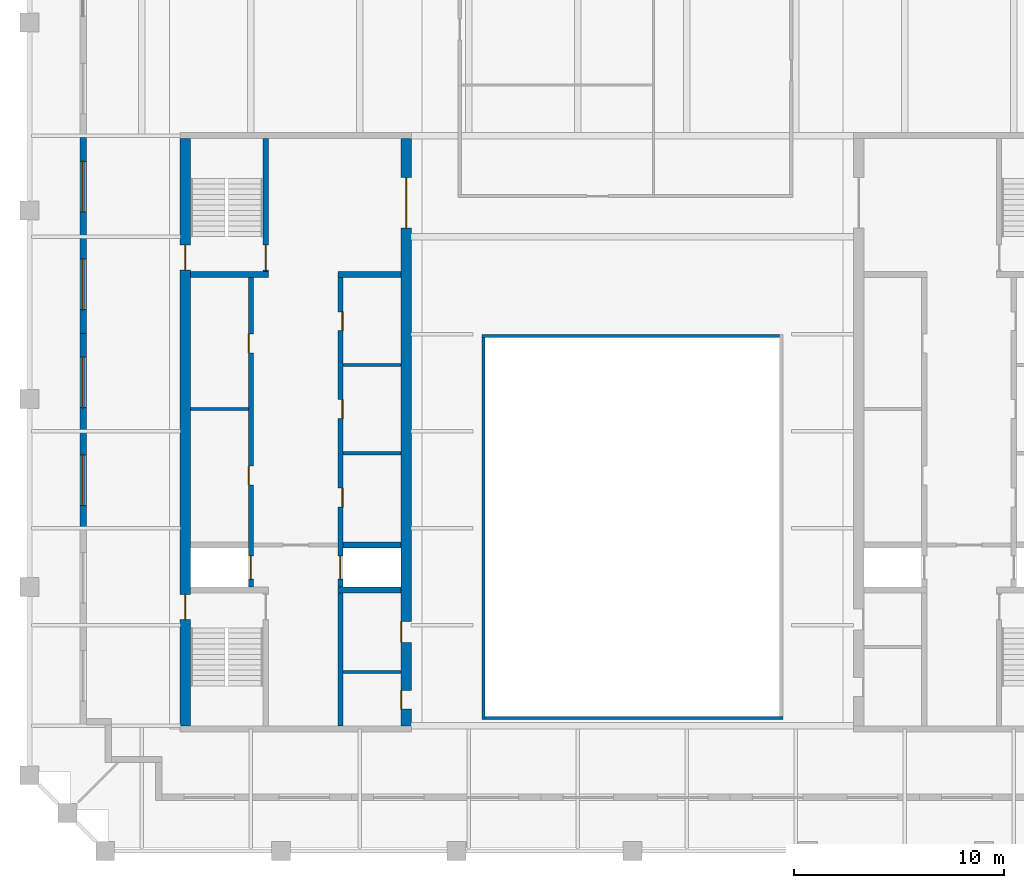
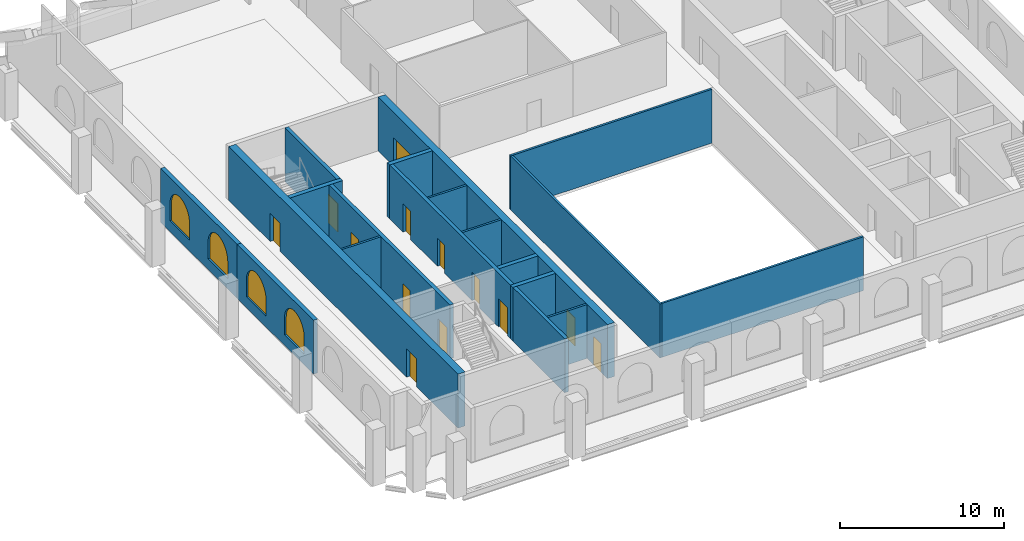
# One storey, part 3 of 8: 18 walls, 13 doors, 4 windows, 17 openings.
"""IFC4 building model written with IfcOpenShell, lengths in metres."""

import ifcopenshell
import ifcopenshell.guid

model = None  # the IFC model being written
_history = None  # IfcOwnerHistory: only IFC2X3 demands one
_inside = {}  # id of a spatial element -> (the spatial element, [elements in it])
_under = {}  # id of a project, library or spatial element -> (it, [spatial elements below it])
_declared = {}  # id of a project -> (the project, [libraries it declares])
_typed = {}  # id of a type object -> (the type object, [elements of that type])
_made_of = {}  # id of a material, layer set ... -> (it, [elements and type objects made of it])


def new_model(schema):
    """Start an empty IFC model of exactly this schema.

    Asked for "IFC4X3", IfcOpenShell would pick the latest addendum, in which some entities
    have other attributes; the version numbers below select the first issue.
    IFC2X3 requires an IfcOwnerHistory on every rooted entity: one is made here for all.
    """
    global model, _history
    if schema == "IFC4X3":
        model = ifcopenshell.file(schema_version=(4, 3, 0, 0))
    else:
        model = ifcopenshell.file(schema=schema)
    _inside.clear()
    _under.clear()
    _declared.clear()
    _typed.clear()
    _made_of.clear()
    _history = None
    if model.schema == "IFC2X3":
        org = make("IfcOrganization", Name="unknown")
        user = make(
            "IfcPersonAndOrganization",
            ThePerson=make("IfcPerson", FamilyName="unknown"),
            TheOrganization=org,
        )
        app = make(
            "IfcApplication",
            ApplicationDeveloper=org,
            Version="unknown",
            ApplicationFullName="unknown",
            ApplicationIdentifier="unknown",
        )
        _history = make(
            "IfcOwnerHistory",
            OwningUser=user,
            OwningApplication=app,
            ChangeAction="ADDED",
            CreationDate=0,
        )
    return model


def make(cls, **values):
    """One entity of the class cls with the attributes given. An attribute that is None is left unset."""
    return model.create_entity(
        cls, **{name: value for name, value in values.items() if value is not None}
    )


def rooted(cls, **values):
    """An entity with a GlobalId (a new one), such as an element, a storey or a relation."""
    return make(cls, GlobalId=ifcopenshell.guid.new(), OwnerHistory=_history, **values)


def si_unit(unit_type, name, prefix=None):
    """IfcSIUnit, for example si_unit("LENGTHUNIT", "METRE", prefix="MILLI")."""
    return make("IfcSIUnit", UnitType=unit_type, Prefix=prefix, Name=name)


def assignment(units):
    """IfcUnitAssignment: the units of a project."""
    return None if units is None else make("IfcUnitAssignment", Units=units)


def point(xyz):
    """IfcCartesianPoint."""
    return None if xyz is None else make("IfcCartesianPoint", Coordinates=xyz)


def direction(xyz):
    """IfcDirection."""
    return None if xyz is None else make("IfcDirection", DirectionRatios=xyz)


def frame(location, z_axis=None, x_axis=None):
    """IfcAxis2Placement3D, a coordinate frame: its origin and axes. An axis left out is left unset."""
    return make(
        "IfcAxis2Placement3D",
        Location=point(location),
        Axis=direction(z_axis),
        RefDirection=direction(x_axis),
    )


def frame_2d(location, x_axis=None):
    """IfcAxis2Placement2D, a coordinate frame in the plane: its origin and x axis."""
    return make(
        "IfcAxis2Placement2D", Location=point(location), RefDirection=direction(x_axis)
    )


def origin():
    """The frame at (0, 0, 0) with its axes left unset."""
    return frame((0.0, 0.0, 0.0))


def place(relative_to, where):
    """IfcLocalPlacement: puts the frame where relative to a parent placement (None: the world)."""
    return make(
        "IfcLocalPlacement", PlacementRelTo=relative_to, RelativePlacement=where
    )


def context(
    kind, dimensions, precision=None, world=None, true_north=None, identifier=None
):
    """IfcGeometricRepresentationContext, for example the 3D "Model" context."""
    return make(
        "IfcGeometricRepresentationContext",
        ContextIdentifier=identifier,
        ContextType=kind,
        CoordinateSpaceDimension=dimensions,
        Precision=precision,
        WorldCoordinateSystem=world,
        TrueNorth=true_north,
    )


def subcontext(parent, identifier, kind, view, scale=None):
    """IfcGeometricRepresentationSubContext, for example "Body" below "Model"."""
    return make(
        "IfcGeometricRepresentationSubContext",
        ContextIdentifier=identifier,
        ContextType=kind,
        ParentContext=parent,
        TargetScale=scale,
        TargetView=view,
    )


def project(units=None, contexts=None):
    """IfcProject with its units and contexts."""
    return rooted(
        "IfcProject",
        Name="project",
        RepresentationContexts=contexts,
        UnitsInContext=assignment(units),
    )


def spatial(cls, under=None, at=None, **own):
    """A site, building, storey or space (cls), placed at a placement, below another one or the project."""
    s = rooted(cls, ObjectPlacement=at, **own)
    if under is not None:
        _under.setdefault(under.id(), (under, []))[1].append(s)
    return s


def polyline(points):
    """IfcPolyline through the points."""
    return make("IfcPolyline", Points=[point(p) for p in points])


def profile(cls, at=None, kind="AREA", **sizes):
    """A parametric profile (cls). Its sizes go by their IFC names, for example OverallWidth=200.0."""
    return make(cls, ProfileType=kind, Position=at, **sizes)


def rectangle(**sizes):
    """IfcRectangleProfileDef."""
    return profile("IfcRectangleProfileDef", **sizes)


def outline(outer, holes=None, kind="AREA"):
    """IfcArbitraryClosedProfileDef: a profile drawn as a closed curve; with holes, ...WithVoids."""
    if holes is None:
        return make("IfcArbitraryClosedProfileDef", ProfileType=kind, OuterCurve=outer)
    return make(
        "IfcArbitraryProfileDefWithVoids",
        ProfileType=kind,
        OuterCurve=outer,
        InnerCurves=holes,
    )


def extrude(swept, where, along, depth):
    """IfcExtrudedAreaSolid: the profile swept, set in the frame where, extruded along a direction by depth."""
    return make(
        "IfcExtrudedAreaSolid",
        SweptArea=swept,
        Position=where,
        ExtrudedDirection=direction(along),
        Depth=depth,
    )


def shape(context_of_items, identifier, shape_type, items):
    """IfcShapeRepresentation: the items that make up one representation, for example the "Body"."""
    return make(
        "IfcShapeRepresentation",
        ContextOfItems=context_of_items,
        RepresentationIdentifier=identifier,
        RepresentationType=shape_type,
        Items=items,
    )


def material(Name=None, Category=None):
    """IfcMaterial."""
    return make("IfcMaterial", Name=Name, Category=Category)


def layer(
    of_material, thickness, ventilated=None, Name=None, Category=None, Priority=None
):
    """IfcMaterialLayer: one layer of a wall or slab, of a material (None: an air gap)."""
    return make(
        "IfcMaterialLayer",
        Material=of_material,
        LayerThickness=thickness,
        IsVentilated=ventilated,
        Name=Name,
        Category=Category,
        Priority=Priority,
    )


def layer_set(layers, Name=None):
    """IfcMaterialLayerSet."""
    return make("IfcMaterialLayerSet", MaterialLayers=layers, LayerSetName=Name)


def made_of(thing, what):
    """Note that an element or type object is made of a material, layer set ...; save() writes the relation."""
    if what is not None:
        _made_of.setdefault(what.id(), (what, []))[1].append(thing)
    return thing


def type_object(cls, material=None, **own):
    """A type object (cls), such as IfcWallType, which elements share."""
    return made_of(rooted(cls, **own), material)


def element(
    cls,
    number,
    at=None,
    inside=None,
    cuts=None,
    type_object=None,
    material=None,
    context=None,
    identifier="Body",
    shape_type=None,
    held_by="IfcProductDefinitionShape",
    body=None,
    shapes=None,
    **own,
):
    """One element of the class cls, such as IfcWall. Its Tag is "e" and its number.

    at: its placement. inside: the storey or other place that contains it. cuts: it is an
    opening in that element (IfcRelVoidsElement). A single representation is given by context,
    identifier, shape_type and body (its items); several are given by shapes. held_by: the class
    of the entity that holds the representations. save() writes the other relations.
    """
    e = rooted(cls, Tag="e%d" % number, ObjectPlacement=at, **own)
    if body is not None:
        shapes = [shape(context, identifier, shape_type, body)]
    if shapes is not None:
        e.Representation = make(held_by, Representations=shapes)
    if inside is not None:
        _inside.setdefault(inside.id(), (inside, []))[1].append(e)
    if cuts is not None:
        rooted(
            "IfcRelVoidsElement", RelatingBuildingElement=cuts, RelatedOpeningElement=e
        )
    if type_object is not None:
        _typed.setdefault(type_object.id(), (type_object, []))[1].append(e)
    return made_of(e, material)


def fill(opening, filler):
    """IfcRelFillsElement: the door or window that sits in an opening."""
    return rooted(
        "IfcRelFillsElement",
        RelatingOpeningElement=opening,
        RelatedBuildingElement=filler,
    )


def aggregate(whole, parts):
    """IfcRelAggregates: a whole, such as a stair, and the parts it consists of."""
    return rooted("IfcRelAggregates", RelatingObject=whole, RelatedObjects=parts)


def save(model, path):
    """Write the relations noted so far, then the file.

    IfcRelAggregates (storeys below a building ...), IfcRelContainedInSpatialStructure (elements
    in a storey), IfcRelDefinesByType, IfcRelAssociatesMaterial and IfcRelDeclares: one each for
    every whole, place, type object, material and project.
    """
    for whole, parts in _under.values():
        aggregate(whole, parts)
    for where, things in _inside.values():
        rooted(
            "IfcRelContainedInSpatialStructure",
            RelatedElements=things,
            RelatingStructure=where,
        )
    for kind, things in _typed.values():
        rooted("IfcRelDefinesByType", RelatedObjects=things, RelatingType=kind)
    for what, things in _made_of.values():
        rooted("IfcRelAssociatesMaterial", RelatedObjects=things, RelatingMaterial=what)
    for by, libraries in _declared.values():
        rooted("IfcRelDeclares", RelatingContext=by, RelatedDefinitions=libraries)
    model.write(path)


model = new_model("IFC4")

# Units and contexts
model_context = context("Model", 3, precision=1e-05, world=origin(), true_north=direction((0.0, 1.0)))
body_context = subcontext(model_context, "Body", "Model", "MODEL_VIEW")
ifc_project = project(units=[si_unit("LENGTHUNIT", "METRE"), si_unit("AREAUNIT", "SQUARE_METRE"), si_unit("VOLUMEUNIT", "CUBIC_METRE"), si_unit("PLANEANGLEUNIT", "RADIAN"), si_unit("MASSUNIT", "GRAM", prefix="KILO")], contexts=[model_context])

# Site, building, storey
site_placement = place(None, origin())
site = spatial("IfcSite", under=ifc_project, at=site_placement, CompositionType="ELEMENT")
building_placement = place(site_placement, origin())
building = spatial("IfcBuilding", under=site, at=building_placement, Name="Ogive Exchange Tower", CompositionType="ELEMENT")
storey_placement = place(building_placement, frame((0.0, 0.0, 377.39990234375)))
storey = spatial("IfcBuildingStorey", under=building, at=storey_placement, Name="C03", CompositionType="ELEMENT", Elevation=377.39990234375)

# Walls
ifc_material_1 = material(Name="Gypsum board partition")
ifc_layer_1 = layer(ifc_material_1, 0.14990234375)
ifc_layer_set_1 = layer_set([ifc_layer_1], Name="Core room partition 150 gypsum")
wall_type_1 = type_object("IfcWallType", Name="Core room partition 150 gypsum", PredefinedType="PARTITIONING", material=ifc_layer_set_1)
for number, where, z_axis, x_axis, name in (
    (1, (-21.0, 12.60009765625, 0.0), (0.0, 0.0, 1.0), (1.0, 0.0, 0.0), "W row A bay partition 1-1"),
    (2, (-13.75, 10.5, 0.0), (0.0, 0.0, 1.0), (1.0, 0.0, 0.0), "W row B bay partition 1-1"),
    (3, (-13.75, 14.699951171875, 0.0), (0.0, 0.0, 1.0), (1.0, 0.0, 0.0), "W row B bay partition 1-2"),
    (4, (-13.75, 0.10009765625, 0.0), (0.0, 0.0, 1.0), (1.0, 0.0, 0.0), "W south room partition"),
):
    element("IfcWall", number, at=place(storey_placement, frame(where, z_axis=z_axis, x_axis=x_axis)), inside=storey, type_object=wall_type_1, Name=name, PredefinedType="PARTITIONING", context=body_context, shape_type="SweptSolid", body=[
        extrude(rectangle(XDim=2.75, YDim=0.14990234375, at=frame_2d((1.375, 0.0))), origin(), (0.0, 0.0, 1.0), 4.0),
    ])
ifc_layer_2 = layer(ifc_material_1, 0.300048828125)
ifc_layer_set_2 = layer_set([ifc_layer_2], Name="Core room partition 300 gypsum")
wall_type_2 = type_object("IfcWallType", Name="Core room partition 300 gypsum", PredefinedType="PARTITIONING", material=ifc_layer_set_2)
wall_1_placement = place(storey_placement, frame((-14.0, 19.0, 0.0), z_axis=(0.0, 0.0, 1.0), x_axis=(1.0, 0.0, 0.0)))
element("IfcWall", 5, at=wall_1_placement, inside=storey, type_object=wall_type_2, Name="W row B room end wall 7", PredefinedType="PARTITIONING", context=body_context, shape_type="SweptSolid", body=[
    extrude(rectangle(XDim=3.0, YDim=0.300048828125, at=frame_2d((1.5, 0.0))), origin(), (0.0, 0.0, 1.0), 4.0),
])
ifc_material_2 = material(Name="Fire-resisting glass in steel frame", Category="steel")
ifc_layer_3 = layer(ifc_material_2, 0.14990234375)
ifc_layer_set_3 = layer_set([ifc_layer_3], Name="Fire-rated glazed wall 150")
wall_type_3 = type_object("IfcWallType", Name="Fire-rated glazed wall 150", PredefinedType="STANDARD", material=ifc_layer_set_3)
wall_2_placement = place(storey_placement, frame((-7.074951171875, -2.14990234375, 0.0), z_axis=(0.0, 0.0, 1.0), x_axis=(0.0, 1.0, 0.0)))
element("IfcWall", 6, at=wall_2_placement, inside=storey, type_object=wall_type_3, Name="Nave enclosure wall 1", PredefinedType="STANDARD", context=body_context, shape_type="SweptSolid", body=[
    extrude(rectangle(XDim=18.2998046875, YDim=0.14990234375, at=frame_2d((9.14990234375, 0.0))), origin(), (0.0, 0.0, 1.0), 4.0),
])
for number, where, z_axis, x_axis, name in (
    (7, (-7.14990234375, 16.074951171875, 0.0), (0.0, 0.0, 1.0), (1.0, 0.0, 0.0), "Nave enclosure wall 2"),
    (8, (7.14990234375, -2.074951171875, 0.0), (0.0, 0.0, 1.0), (-1.0, 0.0, 0.0), "Nave enclosure wall 4"),
):
    element("IfcWall", number, at=place(storey_placement, frame(where, z_axis=z_axis, x_axis=x_axis)), inside=storey, type_object=wall_type_3, Name=name, PredefinedType="STANDARD", context=body_context, shape_type="SweptSolid", body=[
        extrude(rectangle(XDim=14.14990234375, YDim=0.14990234375, at=frame_2d((7.074951171875, 0.0))), origin(), (0.0, 0.0, 1.0), 4.0),
    ])

# Wall, opening, door
ifc_material_3 = material(Name="Concrete C70/85", Category="concrete")
ifc_layer_4 = layer(ifc_material_3, 0.25)
ifc_layer_set_4 = layer_set([ifc_layer_4], Name="RC core wall 250 C70/85")
wall_type_4 = type_object("IfcWallType", Name="RC core wall 250 C70/85", PredefinedType="SHEAR", material=ifc_layer_set_4)
wall_3_placement = place(storey_placement, frame((-17.425048828125, 19.14990234375, 0.0), z_axis=(0.0, 0.0, 1.0), x_axis=(0.0, 1.0, 0.0)))
wall_3 = element("IfcWall", 9, at=wall_3_placement, inside=storey, type_object=wall_type_4, Name="W stair N front wall", PredefinedType="SHEAR", context=body_context, shape_type="SweptSolid", body=[
    extrude(rectangle(XDim=6.300048828125, YDim=0.25, at=frame_2d((3.14990234375, 0.0))), origin(), (0.0, 0.0, 1.0), 4.0),
])
opening_1_placement = place(wall_3_placement, frame((0.050048828125, 0.0, 0.0)))
opening_1 = element("IfcOpeningElement", 10, at=opening_1_placement, cuts=wall_3, Name="Opening C03-C12", PredefinedType="OPENING", context=body_context, shape_type="SweptSolid", body=[
    extrude(rectangle(XDim=1.199951171875, YDim=2.10009765625, at=frame_2d((0.60009765625, 1.050048828125))), frame((0.0, 0.135009765625, 0.0), z_axis=(0.0, -1.0, 0.0), x_axis=(1.0, 0.0, 0.0)), (0.0, 0.0, 1.0), 0.27001953125),
])
ifc_material_4 = material(Name="Steel fire door", Category="steel")
door_type_1 = type_object("IfcDoorType", Name="Stair door FD90 1200 x 2100", OperationType="NOTDEFINED", PredefinedType="DOOR", material=ifc_material_4)
door_1_placement = place(opening_1_placement, origin())
door_1 = element("IfcDoor", 11, at=door_1_placement, inside=storey, type_object=door_type_1, Name="Stair door", ObjectType="CD5", OperationType="SINGLE_SWING_RIGHT", OverallHeight=2.10009765625, OverallWidth=1.199951171875, PredefinedType="DOOR", context=body_context, shape_type="SweptSolid", body=[
    extrude(rectangle(XDim=1.199951171875, YDim=2.10009765625, at=frame_2d((0.60009765625, 1.050048828125))), frame((0.0, 0.02490234375, 0.0), z_axis=(0.0, -1.0, 0.0), x_axis=(1.0, 0.0, 0.0)), (0.0, 0.0, 1.0), 0.050048828125),
])
fill(opening_1, door_1)

# Wall, openings, doors
wall_4_placement = place(storey_placement, frame((-18.125, 4.14990234375, 0.0), z_axis=(0.0, 0.0, 1.0), x_axis=(0.0, 1.0, 0.0)))
wall_4 = element("IfcWall", 12, at=wall_4_placement, inside=storey, type_object=wall_type_4, Name="W row A front wall", PredefinedType="SHEAR", context=body_context, shape_type="SweptSolid", body=[
    extrude(rectangle(XDim=14.7001953125, YDim=0.25, at=frame_2d((7.35009765625, 0.0))), origin(), (0.0, 0.0, 1.0), 4.0),
])
opening_2_placement = place(wall_4_placement, frame((4.846435546875, 0.0, 0.0)))
opening_2 = element("IfcOpeningElement", 13, at=opening_2_placement, cuts=wall_4, Name="Opening C03-C01", PredefinedType="OPENING", context=body_context, shape_type="SweptSolid", body=[
    extrude(rectangle(XDim=0.89990234375, YDim=2.10009765625, at=frame_2d((0.449951171875, 1.050048828125))), frame((0.0, 0.135009765625, 0.0), z_axis=(0.0, -1.0, 0.0), x_axis=(1.0, 0.0, 0.0)), (0.0, 0.0, 1.0), 0.27001953125),
])
opening_3_placement = place(wall_4_placement, frame((11.125, 0.0, 0.0)))
opening_3 = element("IfcOpeningElement", 14, at=opening_3_placement, cuts=wall_4, Name="Opening C03-C02", PredefinedType="OPENING", context=body_context, shape_type="SweptSolid", body=[
    extrude(rectangle(XDim=0.89990234375, YDim=2.10009765625, at=frame_2d((0.449951171875, 1.050048828125))), frame((0.0, 0.135009765625, 0.0), z_axis=(0.0, -1.0, 0.0), x_axis=(1.0, 0.0, 0.0)), (0.0, 0.0, 1.0), 0.27001953125),
])
opening_4_placement = place(wall_4_placement, frame((0.371337890625, 0.0, 0.0)))
opening_4 = element("IfcOpeningElement", 15, at=opening_4_placement, cuts=wall_4, Name="Opening C03-C03", PredefinedType="OPENING", context=body_context, shape_type="SweptSolid", body=[
    extrude(rectangle(XDim=1.10009765625, YDim=2.10009765625, at=frame_2d((0.550048828125, 1.050048828125))), frame((0.0, 0.135009765625, 0.0), z_axis=(0.0, -1.0, 0.0), x_axis=(1.0, 0.0, 0.0)), (0.0, 0.0, 1.0), 0.27001953125),
])
ifc_material_5 = material(Name="Stainless steel", Category="steel")
door_type_2 = type_object("IfcDoorType", Name="Lift landing door FD90 1100 x 2100", OperationType="SLIDING_TO_LEFT", PredefinedType="DOOR", material=ifc_material_5)
door_2_placement = place(opening_4_placement, origin())
door_2 = element("IfcDoor", 16, at=door_2_placement, inside=storey, type_object=door_type_2, Name="Lift landing door FF1", ObjectType="LD", OperationType="SLIDING_TO_LEFT", OverallHeight=2.10009765625, OverallWidth=1.10009765625, PredefinedType="DOOR", context=body_context, shape_type="SweptSolid", body=[
    extrude(rectangle(XDim=1.10009765625, YDim=2.10009765625, at=frame_2d((0.550048828125, 1.050048828125))), frame((0.0, 0.02490234375, 0.0), z_axis=(0.0, -1.0, 0.0), x_axis=(1.0, 0.0, 0.0)), (0.0, 0.0, 1.0), 0.050048828125),
])
fill(opening_4, door_2)
door_type_3 = type_object("IfcDoorType", Name="Riser door FD60 900 x 2100", OperationType="NOTDEFINED", PredefinedType="DOOR", material=ifc_material_4)
door_3_placement = place(opening_2_placement, origin())
door_3 = element("IfcDoor", 17, at=door_3_placement, inside=storey, type_object=door_type_3, Name="Riser door", ObjectType="CD2", OperationType="SINGLE_SWING_RIGHT", OverallHeight=2.10009765625, OverallWidth=0.89990234375, PredefinedType="DOOR", context=body_context, shape_type="SweptSolid", body=[
    extrude(rectangle(XDim=0.89990234375, YDim=2.10009765625, at=frame_2d((0.449951171875, 1.050048828125))), frame((0.0, 0.125, 0.0), z_axis=(0.0, -1.0, 0.0), x_axis=(1.0, 0.0, 0.0)), (0.0, 0.0, 1.0), 0.050048828125),
])
fill(opening_2, door_3)
door_4_placement = place(opening_3_placement, origin())
door_4 = element("IfcDoor", 18, at=door_4_placement, inside=storey, type_object=door_type_3, Name="Riser door", ObjectType="CD2", OperationType="SINGLE_SWING_RIGHT", OverallHeight=2.10009765625, OverallWidth=0.89990234375, PredefinedType="DOOR", context=body_context, shape_type="SweptSolid", body=[
    extrude(rectangle(XDim=0.89990234375, YDim=2.10009765625, at=frame_2d((0.449951171875, 1.050048828125))), frame((0.0, 0.125, 0.0), z_axis=(0.0, -1.0, 0.0), x_axis=(1.0, 0.0, 0.0)), (0.0, 0.0, 1.0), 0.050048828125),
])
fill(opening_3, door_4)

wall_5_placement = place(storey_placement, frame((-13.875, -2.449951171875, 0.0), z_axis=(0.0, 0.0, 1.0), x_axis=(0.0, 1.0, 0.0)))
wall_5 = element("IfcWall", 19, at=wall_5_placement, inside=storey, type_object=wall_type_4, Name="W row B front wall", PredefinedType="SHEAR", context=body_context, shape_type="SweptSolid", body=[
    extrude(rectangle(XDim=21.300048828125, YDim=0.25, at=frame_2d((10.64990234375, 0.0))), origin(), (0.0, 0.0, 1.0), 4.0),
])
opening_5_placement = place(wall_5_placement, frame((10.396484375, 0.0, 0.0)))
opening_5 = element("IfcOpeningElement", 20, at=opening_5_placement, cuts=wall_5, Name="Opening C03-C04", PredefinedType="OPENING", context=body_context, shape_type="SweptSolid", body=[
    extrude(rectangle(XDim=0.89990234375, YDim=2.10009765625, at=frame_2d((0.449951171875, 1.050048828125))), frame((0.0, 0.135009765625, 0.0), z_axis=(0.0, -1.0, 0.0), x_axis=(1.0, 0.0, 0.0)), (0.0, 0.0, 1.0), 0.27001953125),
])
opening_6_placement = place(wall_5_placement, frame((14.60009765625, 0.0, 0.0)))
opening_6 = element("IfcOpeningElement", 21, at=opening_6_placement, cuts=wall_5, Name="Opening C03-C05", PredefinedType="OPENING", context=body_context, shape_type="SweptSolid", body=[
    extrude(rectangle(XDim=0.89990234375, YDim=2.10009765625, at=frame_2d((0.449951171875, 1.050048828125))), frame((0.0, 0.135009765625, 0.0), z_axis=(0.0, -1.0, 0.0), x_axis=(1.0, 0.0, 0.0)), (0.0, 0.0, 1.0), 0.27001953125),
])
opening_7_placement = place(wall_5_placement, frame((18.77490234375, 0.0, 0.0)))
opening_7 = element("IfcOpeningElement", 22, at=opening_7_placement, cuts=wall_5, Name="Opening C03-C06", PredefinedType="OPENING", context=body_context, shape_type="SweptSolid", body=[
    extrude(rectangle(XDim=0.89990234375, YDim=2.10009765625, at=frame_2d((0.449951171875, 1.050048828125))), frame((0.0, 0.135009765625, 0.0), z_axis=(0.0, -1.0, 0.0), x_axis=(1.0, 0.0, 0.0)), (0.0, 0.0, 1.0), 0.27001953125),
])
opening_8_placement = place(wall_5_placement, frame((6.971435546875, 0.0, 0.0)))
opening_8 = element("IfcOpeningElement", 23, at=opening_8_placement, cuts=wall_5, Name="Opening C03-C07", PredefinedType="OPENING", context=body_context, shape_type="SweptSolid", body=[
    extrude(rectangle(XDim=1.10009765625, YDim=2.10009765625, at=frame_2d((0.550048828125, 1.050048828125))), frame((0.0, 0.135009765625, 0.0), z_axis=(0.0, -1.0, 0.0), x_axis=(1.0, 0.0, 0.0)), (0.0, 0.0, 1.0), 0.27001953125),
])
ifc_material_6 = material(Name="Timber fire door", Category="wood")
door_type_4 = type_object("IfcDoorType", Name="Core room door FD30S 900 x 2100", OperationType="NOTDEFINED", PredefinedType="DOOR", material=ifc_material_6)
door_5_placement = place(opening_7_placement, frame((0.89990234375, -0.2001953125, 0.0), z_axis=(0.0, 0.0, 1.0), x_axis=(-1.0, 0.0, 0.0)))
door_5 = element("IfcDoor", 24, at=door_5_placement, inside=storey, type_object=door_type_4, Name="Core room door", ObjectType="CD6", OperationType="SINGLE_SWING_RIGHT", OverallHeight=2.10009765625, OverallWidth=0.89990234375, PredefinedType="DOOR", context=body_context, shape_type="SweptSolid", body=[
    extrude(rectangle(XDim=0.89990234375, YDim=2.10009765625, at=frame_2d((0.449951171875, 1.050048828125))), frame((0.0, -0.0751953125, 0.0), z_axis=(0.0, -1.0, 0.0), x_axis=(1.0, 0.0, 0.0)), (0.0, 0.0, 1.0), 0.050048828125),
])
fill(opening_7, door_5)
door_6_placement = place(opening_8_placement, origin())
door_6 = element("IfcDoor", 25, at=door_6_placement, inside=storey, type_object=door_type_2, Name="Lift landing door SV1", ObjectType="LD", OperationType="SLIDING_TO_LEFT", OverallHeight=2.10009765625, OverallWidth=1.10009765625, PredefinedType="DOOR", context=body_context, shape_type="SweptSolid", body=[
    extrude(rectangle(XDim=1.10009765625, YDim=2.10009765625, at=frame_2d((0.550048828125, 1.050048828125))), frame((0.0, 0.02490234375, 0.0), z_axis=(0.0, -1.0, 0.0), x_axis=(1.0, 0.0, 0.0)), (0.0, 0.0, 1.0), 0.050048828125),
])
fill(opening_8, door_6)
door_7_placement = place(opening_5_placement, frame((0.89990234375, -0.2001953125, 0.0), z_axis=(0.0, 0.0, 1.0), x_axis=(-1.0, 0.0, 0.0)))
door_7 = element("IfcDoor", 26, at=door_7_placement, inside=storey, type_object=door_type_3, Name="Riser door", ObjectType="CD2", OperationType="SINGLE_SWING_RIGHT", OverallHeight=2.10009765625, OverallWidth=0.89990234375, PredefinedType="DOOR", context=body_context, shape_type="SweptSolid", body=[
    extrude(rectangle(XDim=0.89990234375, YDim=2.10009765625, at=frame_2d((0.449951171875, 1.050048828125))), frame((0.0, -0.0751953125, 0.0), z_axis=(0.0, -1.0, 0.0), x_axis=(1.0, 0.0, 0.0)), (0.0, 0.0, 1.0), 0.050048828125),
])
fill(opening_5, door_7)
door_8_placement = place(opening_6_placement, frame((0.89990234375, -0.2001953125, 0.0), z_axis=(0.0, 0.0, 1.0), x_axis=(-1.0, 0.0, 0.0)))
door_8 = element("IfcDoor", 27, at=door_8_placement, inside=storey, type_object=door_type_3, Name="Riser door", ObjectType="CD2", OperationType="SINGLE_SWING_RIGHT", OverallHeight=2.10009765625, OverallWidth=0.89990234375, PredefinedType="DOOR", context=body_context, shape_type="SweptSolid", body=[
    extrude(rectangle(XDim=0.89990234375, YDim=2.10009765625, at=frame_2d((0.449951171875, 1.050048828125))), frame((0.0, -0.0751953125, 0.0), z_axis=(0.0, -1.0, 0.0), x_axis=(1.0, 0.0, 0.0)), (0.0, 0.0, 1.0), 0.050048828125),
])
fill(opening_6, door_8)

# Walls
ifc_layer_5 = layer(ifc_material_3, 0.300048828125)
ifc_layer_set_5 = layer_set([ifc_layer_5], Name="RC core wall 300 C70/85")
wall_type_5 = type_object("IfcWallType", Name="RC core wall 300 C70/85", PredefinedType="SHEAR", material=ifc_layer_set_5)
wall_6_placement = place(storey_placement, frame((-21.0, 19.0, 0.0), z_axis=(0.0, 0.0, 1.0), x_axis=(1.0, 0.0, 0.0)))
element("IfcWall", 28, at=wall_6_placement, inside=storey, type_object=wall_type_5, Name="W stair N south wall", PredefinedType="SHEAR", context=body_context, shape_type="SweptSolid", body=[
    extrude(rectangle(XDim=3.699951171875, YDim=0.300048828125, at=frame_2d((1.85009765625, 0.0))), origin(), (0.0, 0.0, 1.0), 4.0),
])
wall_7_placement = place(storey_placement, frame((-14.0, 4.0, 0.0), z_axis=(0.0, 0.0, 1.0), x_axis=(1.0, 0.0, 0.0)))
element("IfcWall", 29, at=wall_7_placement, inside=storey, type_object=wall_type_5, Name="W row B divider 0", PredefinedType="SHEAR", context=body_context, shape_type="SweptSolid", body=[
    extrude(rectangle(XDim=3.0, YDim=0.300048828125, at=frame_2d((1.5, 0.0))), origin(), (0.0, 0.0, 1.0), 4.0),
])
wall_8_placement = place(storey_placement, frame((-13.75, 6.142822265625, 0.0), z_axis=(0.0, 0.0, 1.0), x_axis=(1.0, 0.0, 0.0)))
element("IfcWall", 30, at=wall_8_placement, inside=storey, type_object=wall_type_5, Name="W row B divider 1", PredefinedType="SHEAR", context=body_context, shape_type="SweptSolid", body=[
    extrude(rectangle(XDim=2.75, YDim=0.300048828125, at=frame_2d((1.375, 0.0))), origin(), (0.0, 0.0, 1.0), 4.0),
])

# Wall, openings, doors
ifc_layer_6 = layer(ifc_material_3, 0.5)
ifc_layer_set_6 = layer_set([ifc_layer_6], Name="RC core wall 500 C70/85")
wall_type_6 = type_object("IfcWallType", Name="RC core wall 500 C70/85", PredefinedType="SHEAR", material=ifc_layer_set_6)
wall_9_placement = place(storey_placement, frame((-21.25, -2.449951171875, 0.0), z_axis=(0.0, 0.0, 1.0), x_axis=(0.0, 1.0, 0.0)))
wall_9 = element("IfcWall", 31, at=wall_9_placement, inside=storey, type_object=wall_type_6, Name="W outer wall", PredefinedType="SHEAR", context=body_context, shape_type="SweptSolid", body=[
    extrude(rectangle(XDim=27.89990234375, YDim=0.5, at=frame_2d((13.949951171875, 0.0))), origin(), (0.0, 0.0, 1.0), 4.0),
])
opening_9_placement = place(wall_9_placement, frame((5.050048828125, 0.0, 0.0)))
opening_9 = element("IfcOpeningElement", 32, at=opening_9_placement, cuts=wall_9, Name="Opening C03-C11", PredefinedType="OPENING", context=body_context, shape_type="SweptSolid", body=[
    extrude(rectangle(XDim=1.199951171875, YDim=2.10009765625, at=frame_2d((0.60009765625, 1.050048828125))), frame((0.0, 0.260009765625, 0.0), z_axis=(0.0, -1.0, 0.0), x_axis=(1.0, 0.0, 0.0)), (0.0, 0.0, 1.0), 0.52001953125),
])
opening_10_placement = place(wall_9_placement, frame((21.64990234375, 0.0, 0.0)))
opening_10 = element("IfcOpeningElement", 33, at=opening_10_placement, cuts=wall_9, Name="Opening C03-C13", PredefinedType="OPENING", context=body_context, shape_type="SweptSolid", body=[
    extrude(rectangle(XDim=1.199951171875, YDim=2.10009765625, at=frame_2d((0.60009765625, 1.050048828125))), frame((0.0, 0.260009765625, 0.0), z_axis=(0.0, -1.0, 0.0), x_axis=(1.0, 0.0, 0.0)), (0.0, 0.0, 1.0), 0.52001953125),
])
door_9_placement = place(opening_9_placement, origin())
door_9 = element("IfcDoor", 34, at=door_9_placement, inside=storey, type_object=door_type_1, Name="Stair door", ObjectType="CD5", OperationType="SINGLE_SWING_LEFT", OverallHeight=2.10009765625, OverallWidth=1.199951171875, PredefinedType="DOOR", context=body_context, shape_type="SweptSolid", body=[
    extrude(rectangle(XDim=1.199951171875, YDim=2.10009765625, at=frame_2d((0.60009765625, 1.050048828125))), frame((0.0, 0.02490234375, 0.0), z_axis=(0.0, -1.0, 0.0), x_axis=(1.0, 0.0, 0.0)), (0.0, 0.0, 1.0), 0.050048828125),
])
fill(opening_9, door_9)
door_10_placement = place(opening_10_placement, origin())
door_10 = element("IfcDoor", 35, at=door_10_placement, inside=storey, type_object=door_type_1, Name="Stair door", ObjectType="CD5", OperationType="SINGLE_SWING_LEFT", OverallHeight=2.10009765625, OverallWidth=1.199951171875, PredefinedType="DOOR", context=body_context, shape_type="SweptSolid", body=[
    extrude(rectangle(XDim=1.199951171875, YDim=2.10009765625, at=frame_2d((0.60009765625, 1.050048828125))), frame((0.0, 0.02490234375, 0.0), z_axis=(0.0, -1.0, 0.0), x_axis=(1.0, 0.0, 0.0)), (0.0, 0.0, 1.0), 0.050048828125),
])
fill(opening_10, door_10)

wall_10_placement = place(storey_placement, frame((-10.75, -2.449951171875, 0.0), z_axis=(0.0, 0.0, 1.0), x_axis=(0.0, 1.0, 0.0)))
wall_10 = element("IfcWall", 36, at=wall_10_placement, inside=storey, type_object=wall_type_6, Name="W inner wall", PredefinedType="SHEAR", context=body_context, shape_type="SweptSolid", body=[
    extrude(rectangle(XDim=27.89990234375, YDim=0.5, at=frame_2d((13.949951171875, 0.0))), origin(), (0.0, 0.0, 1.0), 4.0),
])
opening_11_placement = place(wall_10_placement, frame((23.64990234375, 0.0, 0.0)))
opening_11 = element("IfcOpeningElement", 37, at=opening_11_placement, cuts=wall_10, Name="Opening C03-C09", PredefinedType="OPENING", context=body_context, shape_type="SweptSolid", body=[
    extrude(rectangle(XDim=2.39990234375, YDim=2.10009765625, at=frame_2d((1.199951171875, 1.050048828125))), frame((0.0, 0.260009765625, 0.0), z_axis=(0.0, -1.0, 0.0), x_axis=(1.0, 0.0, 0.0)), (0.0, 0.0, 1.0), 0.52001953125),
])
opening_12_placement = place(wall_10_placement, frame((0.78759765625, 0.0, 0.0)))
opening_12 = element("IfcOpeningElement", 38, at=opening_12_placement, cuts=wall_10, Name="Opening C03-C14", PredefinedType="OPENING", context=body_context, shape_type="SweptSolid", body=[
    extrude(rectangle(XDim=0.89990234375, YDim=2.10009765625, at=frame_2d((0.449951171875, 1.050048828125))), frame((0.0, 0.260009765625, 0.0), z_axis=(0.0, -1.0, 0.0), x_axis=(1.0, 0.0, 0.0)), (0.0, 0.0, 1.0), 0.52001953125),
])
opening_13_placement = place(wall_10_placement, frame((3.96240234375, 0.0, 0.0)))
opening_13 = element("IfcOpeningElement", 39, at=opening_13_placement, cuts=wall_10, Name="Opening C03-C15", PredefinedType="OPENING", context=body_context, shape_type="SweptSolid", body=[
    extrude(rectangle(XDim=1.0, YDim=2.10009765625, at=frame_2d((0.5, 1.050048828125))), frame((0.0, 0.260009765625, 0.0), z_axis=(0.0, -1.0, 0.0), x_axis=(1.0, 0.0, 0.0)), (0.0, 0.0, 1.0), 0.52001953125),
])
door_type_5 = type_object("IfcDoorType", Name="Accessible WC door FD30S 1000 x 2100", OperationType="NOTDEFINED", PredefinedType="DOOR", material=ifc_material_6)
door_11_placement = place(opening_13_placement, frame((1.0, 0.4501953125, 0.0), z_axis=(0.0, 0.0, 1.0), x_axis=(-1.0, 0.0, 0.0)))
door_11 = element("IfcDoor", 40, at=door_11_placement, inside=storey, type_object=door_type_5, Name="Accessible WC door", ObjectType="CD7", OperationType="SINGLE_SWING_LEFT", OverallHeight=2.10009765625, OverallWidth=1.0, PredefinedType="DOOR", context=body_context, shape_type="SweptSolid", body=[
    extrude(rectangle(XDim=1.0, YDim=2.10009765625, at=frame_2d((0.5, 1.050048828125))), frame((0.0, 0.25, 0.0), z_axis=(0.0, -1.0, 0.0), x_axis=(1.0, 0.0, 0.0)), (0.0, 0.0, 1.0), 0.050048828125),
])
fill(opening_13, door_11)
door_12_placement = place(opening_12_placement, frame((0.89990234375, 0.4501953125, 0.0), z_axis=(0.0, 0.0, 1.0), x_axis=(-1.0, 0.0, 0.0)))
door_12 = element("IfcDoor", 41, at=door_12_placement, inside=storey, type_object=door_type_4, Name="Core room door", ObjectType="CD6", OperationType="SINGLE_SWING_LEFT", OverallHeight=2.10009765625, OverallWidth=0.89990234375, PredefinedType="DOOR", context=body_context, shape_type="SweptSolid", body=[
    extrude(rectangle(XDim=0.89990234375, YDim=2.10009765625, at=frame_2d((0.449951171875, 1.050048828125))), frame((0.0, 0.25, 0.0), z_axis=(0.0, -1.0, 0.0), x_axis=(1.0, 0.0, 0.0)), (0.0, 0.0, 1.0), 0.050048828125),
])
fill(opening_12, door_12)
ifc_material_7 = material(Name="Glazed steel fire door", Category="steel")
door_type_6 = type_object("IfcDoorType", Name="Lift lobby double door FD60 2400 x 2100", OperationType="DOUBLE_DOOR_SINGLE_SWING", PredefinedType="DOOR", material=ifc_material_7)
door_13_placement = place(opening_11_placement, frame((2.39990234375, 0.0, 0.0), z_axis=(0.0, 0.0, 1.0), x_axis=(-1.0, 0.0, 0.0)))
door_13 = element("IfcDoor", 42, at=door_13_placement, inside=storey, type_object=door_type_6, Name="Lift lobby double door", ObjectType="CD4", OperationType="DOUBLE_DOOR_SINGLE_SWING", OverallHeight=2.10009765625, OverallWidth=2.39990234375, PredefinedType="DOOR", context=body_context, shape_type="SweptSolid", body=[
    extrude(rectangle(XDim=2.39990234375, YDim=2.10009765625, at=frame_2d((1.199951171875, 1.050048828125))), frame((0.0, 0.02490234375, 0.0), z_axis=(0.0, -1.0, 0.0), x_axis=(1.0, 0.0, 0.0)), (0.0, 0.0, 1.0), 0.050048828125),
])
fill(opening_11, door_13)

# Wall, openings, windows
ifc_material_8 = material(Name="Precast concrete C40/50", Category="concrete")
ifc_layer_7 = layer(ifc_material_8, 0.300048828125)
ifc_layer_set_7 = layer_set([ifc_layer_7], Name="Zinc-clad crown wall 300")
wall_type_7 = type_object("IfcWallType", Name="Zinc-clad crown wall 300", PredefinedType="STANDARD", material=ifc_layer_set_7)
wall_11_placement = place(storey_placement, frame((-26.10009765625, 25.500732421875, 0.0), z_axis=(0.0, 0.0, 1.0), x_axis=(0.0, -1.0, 0.0)))
wall_11 = element("IfcWall", 43, at=wall_11_placement, inside=storey, type_object=wall_type_7, Name="Crown wall 26", PredefinedType="STANDARD", context=body_context, shape_type="SweptSolid", body=[
    extrude(rectangle(XDim=9.30029296875, YDim=0.300048828125, at=frame_2d((4.650146484375, 0.0))), origin(), (0.0, 0.0, 1.0), 4.0),
])
opening_14_placement = place(wall_11_placement, frame((1.125, 0.0, 0.800048828125)))
opening_14 = element("IfcOpeningElement", 44, at=opening_14_placement, cuts=wall_11, Name="Opening WC25", PredefinedType="OPENING", context=body_context, shape_type="SweptSolid", body=[
    extrude(outline(polyline([(0.0, 0.0), (2.39990234375, 0.0), (2.39990234375, 1.25), (2.377197265625, 1.48779296875), (2.3095703125, 1.717041015625), (2.19970703125, 1.928955078125), (2.05126953125, 2.116455078125), (1.8701171875, 2.272216796875), (1.662841796875, 2.390625), (1.4365234375, 2.467529296875), (1.199951171875, 2.5), (0.96337890625, 2.467529296875), (0.737060546875, 2.390625), (0.52978515625, 2.272216796875), (0.3486328125, 2.116455078125), (0.2001953125, 1.928955078125), (0.09033203125, 1.717041015625), (0.022705078125, 1.48779296875), (0.0, 1.25), (0.0, 0.0)])), frame((0.0, 0.159912109375, 0.0), z_axis=(0.0, -1.0, 0.0), x_axis=(1.0, 0.0, 0.0)), (0.0, 0.0, 1.0), 0.320068359375),
])
opening_15_placement = place(wall_11_placement, frame((5.775146484375, 0.0, 0.800048828125)))
opening_15 = element("IfcOpeningElement", 45, at=opening_15_placement, cuts=wall_11, Name="Opening WC25", PredefinedType="OPENING", context=body_context, shape_type="SweptSolid", body=[
    extrude(outline(polyline([(0.0, 0.0), (2.39990234375, 0.0), (2.39990234375, 1.25), (2.377197265625, 1.48779296875), (2.3095703125, 1.717041015625), (2.19970703125, 1.928955078125), (2.05126953125, 2.116455078125), (1.8701171875, 2.272216796875), (1.662841796875, 2.390625), (1.4365234375, 2.467529296875), (1.199951171875, 2.5), (0.96337890625, 2.467529296875), (0.737060546875, 2.390625), (0.52978515625, 2.272216796875), (0.3486328125, 2.116455078125), (0.2001953125, 1.928955078125), (0.09033203125, 1.717041015625), (0.022705078125, 1.48779296875), (0.0, 1.25), (0.0, 0.0)])), frame((0.0, 0.159912109375, 0.0), z_axis=(0.0, -1.0, 0.0), x_axis=(1.0, 0.0, 0.0)), (0.0, 0.0, 1.0), 0.320068359375),
])
ifc_material_9 = material(Name="Clear glass in bronze frame", Category="glass")
window_type = type_object("IfcWindowType", Name="Crown lancet window 2400 x 2500", PartitioningType="DOUBLE_PANEL_VERTICAL", PredefinedType="WINDOW", material=ifc_material_9)
window_1_placement = place(opening_14_placement, origin())
window_1 = element("IfcWindow", 46, at=window_1_placement, inside=storey, type_object=window_type, Name="Crown lancet 26.1", OverallHeight=2.5, OverallWidth=2.39990234375, PartitioningType="DOUBLE_PANEL_VERTICAL", PredefinedType="WINDOW", context=body_context, shape_type="SweptSolid", body=[
    extrude(outline(polyline([(0.0, 0.0), (2.39990234375, 0.0), (2.39990234375, 1.25), (2.377197265625, 1.48779296875), (2.3095703125, 1.717041015625), (2.19970703125, 1.928955078125), (2.05126953125, 2.116455078125), (1.8701171875, 2.272216796875), (1.662841796875, 2.390625), (1.4365234375, 2.467529296875), (1.199951171875, 2.5), (0.96337890625, 2.467529296875), (0.737060546875, 2.390625), (0.52978515625, 2.272216796875), (0.3486328125, 2.116455078125), (0.2001953125, 1.928955078125), (0.09033203125, 1.717041015625), (0.022705078125, 1.48779296875), (0.0, 1.25), (0.0, 0.0)])), frame((0.0, 0.030029296875, 0.0), z_axis=(0.0, -1.0, 0.0), x_axis=(1.0, 0.0, 0.0)), (0.0, 0.0, 1.0), 0.06005859375),
])
fill(opening_14, window_1)
window_2_placement = place(opening_15_placement, origin())
window_2 = element("IfcWindow", 47, at=window_2_placement, inside=storey, type_object=window_type, Name="Crown lancet 26.2", OverallHeight=2.5, OverallWidth=2.39990234375, PartitioningType="DOUBLE_PANEL_VERTICAL", PredefinedType="WINDOW", context=body_context, shape_type="SweptSolid", body=[
    extrude(outline(polyline([(0.0, 0.0), (2.39990234375, 0.0), (2.39990234375, 1.25), (2.377197265625, 1.48779296875), (2.3095703125, 1.717041015625), (2.19970703125, 1.928955078125), (2.05126953125, 2.116455078125), (1.8701171875, 2.272216796875), (1.662841796875, 2.390625), (1.4365234375, 2.467529296875), (1.199951171875, 2.5), (0.96337890625, 2.467529296875), (0.737060546875, 2.390625), (0.52978515625, 2.272216796875), (0.3486328125, 2.116455078125), (0.2001953125, 1.928955078125), (0.09033203125, 1.717041015625), (0.022705078125, 1.48779296875), (0.0, 1.25), (0.0, 0.0)])), frame((0.0, 0.030029296875, 0.0), z_axis=(0.0, -1.0, 0.0), x_axis=(1.0, 0.0, 0.0)), (0.0, 0.0, 1.0), 0.06005859375),
])
fill(opening_15, window_2)

wall_12_placement = place(storey_placement, frame((-26.10009765625, 16.200439453125, 0.0), z_axis=(0.0, 0.0, 1.0), x_axis=(0.0, -1.0, 0.0)))
wall_12 = element("IfcWall", 48, at=wall_12_placement, inside=storey, type_object=wall_type_7, Name="Crown wall 27", PredefinedType="STANDARD", context=body_context, shape_type="SweptSolid", body=[
    extrude(rectangle(XDim=9.30029296875, YDim=0.300048828125, at=frame_2d((4.650146484375, 0.0))), origin(), (0.0, 0.0, 1.0), 4.0),
])
opening_16_placement = place(wall_12_placement, frame((1.125, 0.0, 0.800048828125)))
opening_16 = element("IfcOpeningElement", 49, at=opening_16_placement, cuts=wall_12, Name="Opening WC25", PredefinedType="OPENING", context=body_context, shape_type="SweptSolid", body=[
    extrude(outline(polyline([(0.0, 0.0), (2.39990234375, 0.0), (2.39990234375, 1.25), (2.377197265625, 1.48779296875), (2.3095703125, 1.717041015625), (2.19970703125, 1.928955078125), (2.05126953125, 2.116455078125), (1.8701171875, 2.272216796875), (1.662841796875, 2.390625), (1.4365234375, 2.467529296875), (1.199951171875, 2.5), (0.96337890625, 2.467529296875), (0.737060546875, 2.390625), (0.52978515625, 2.272216796875), (0.3486328125, 2.116455078125), (0.2001953125, 1.928955078125), (0.09033203125, 1.717041015625), (0.022705078125, 1.48779296875), (0.0, 1.25), (0.0, 0.0)])), frame((0.0, 0.159912109375, 0.0), z_axis=(0.0, -1.0, 0.0), x_axis=(1.0, 0.0, 0.0)), (0.0, 0.0, 1.0), 0.320068359375),
])
opening_17_placement = place(wall_12_placement, frame((5.775146484375, 0.0, 0.800048828125)))
opening_17 = element("IfcOpeningElement", 50, at=opening_17_placement, cuts=wall_12, Name="Opening WC25", PredefinedType="OPENING", context=body_context, shape_type="SweptSolid", body=[
    extrude(outline(polyline([(0.0, 0.0), (2.39990234375, 0.0), (2.39990234375, 1.25), (2.377197265625, 1.48779296875), (2.3095703125, 1.717041015625), (2.19970703125, 1.928955078125), (2.05126953125, 2.116455078125), (1.8701171875, 2.272216796875), (1.662841796875, 2.390625), (1.4365234375, 2.467529296875), (1.199951171875, 2.5), (0.96337890625, 2.467529296875), (0.737060546875, 2.390625), (0.52978515625, 2.272216796875), (0.3486328125, 2.116455078125), (0.2001953125, 1.928955078125), (0.09033203125, 1.717041015625), (0.022705078125, 1.48779296875), (0.0, 1.25), (0.0, 0.0)])), frame((0.0, 0.159912109375, 0.0), z_axis=(0.0, -1.0, 0.0), x_axis=(1.0, 0.0, 0.0)), (0.0, 0.0, 1.0), 0.320068359375),
])
window_3_placement = place(opening_16_placement, origin())
window_3 = element("IfcWindow", 51, at=window_3_placement, inside=storey, type_object=window_type, Name="Crown lancet 27.1", OverallHeight=2.5, OverallWidth=2.39990234375, PartitioningType="DOUBLE_PANEL_VERTICAL", PredefinedType="WINDOW", context=body_context, shape_type="SweptSolid", body=[
    extrude(outline(polyline([(0.0, 0.0), (2.39990234375, 0.0), (2.39990234375, 1.25), (2.377197265625, 1.48779296875), (2.3095703125, 1.717041015625), (2.19970703125, 1.928955078125), (2.05126953125, 2.116455078125), (1.8701171875, 2.272216796875), (1.662841796875, 2.390625), (1.4365234375, 2.467529296875), (1.199951171875, 2.5), (0.96337890625, 2.467529296875), (0.737060546875, 2.390625), (0.52978515625, 2.272216796875), (0.3486328125, 2.116455078125), (0.2001953125, 1.928955078125), (0.09033203125, 1.717041015625), (0.022705078125, 1.48779296875), (0.0, 1.25), (0.0, 0.0)])), frame((0.0, 0.030029296875, 0.0), z_axis=(0.0, -1.0, 0.0), x_axis=(1.0, 0.0, 0.0)), (0.0, 0.0, 1.0), 0.06005859375),
])
fill(opening_16, window_3)
window_4_placement = place(opening_17_placement, origin())
window_4 = element("IfcWindow", 52, at=window_4_placement, inside=storey, type_object=window_type, Name="Crown lancet 27.2", OverallHeight=2.5, OverallWidth=2.39990234375, PartitioningType="DOUBLE_PANEL_VERTICAL", PredefinedType="WINDOW", context=body_context, shape_type="SweptSolid", body=[
    extrude(outline(polyline([(0.0, 0.0), (2.39990234375, 0.0), (2.39990234375, 1.25), (2.377197265625, 1.48779296875), (2.3095703125, 1.717041015625), (2.19970703125, 1.928955078125), (2.05126953125, 2.116455078125), (1.8701171875, 2.272216796875), (1.662841796875, 2.390625), (1.4365234375, 2.467529296875), (1.199951171875, 2.5), (0.96337890625, 2.467529296875), (0.737060546875, 2.390625), (0.52978515625, 2.272216796875), (0.3486328125, 2.116455078125), (0.2001953125, 1.928955078125), (0.09033203125, 1.717041015625), (0.022705078125, 1.48779296875), (0.0, 1.25), (0.0, 0.0)])), frame((0.0, 0.030029296875, 0.0), z_axis=(0.0, -1.0, 0.0), x_axis=(1.0, 0.0, 0.0)), (0.0, 0.0, 1.0), 0.06005859375),
])
fill(opening_17, window_4)

save(model, "model.ifc")
